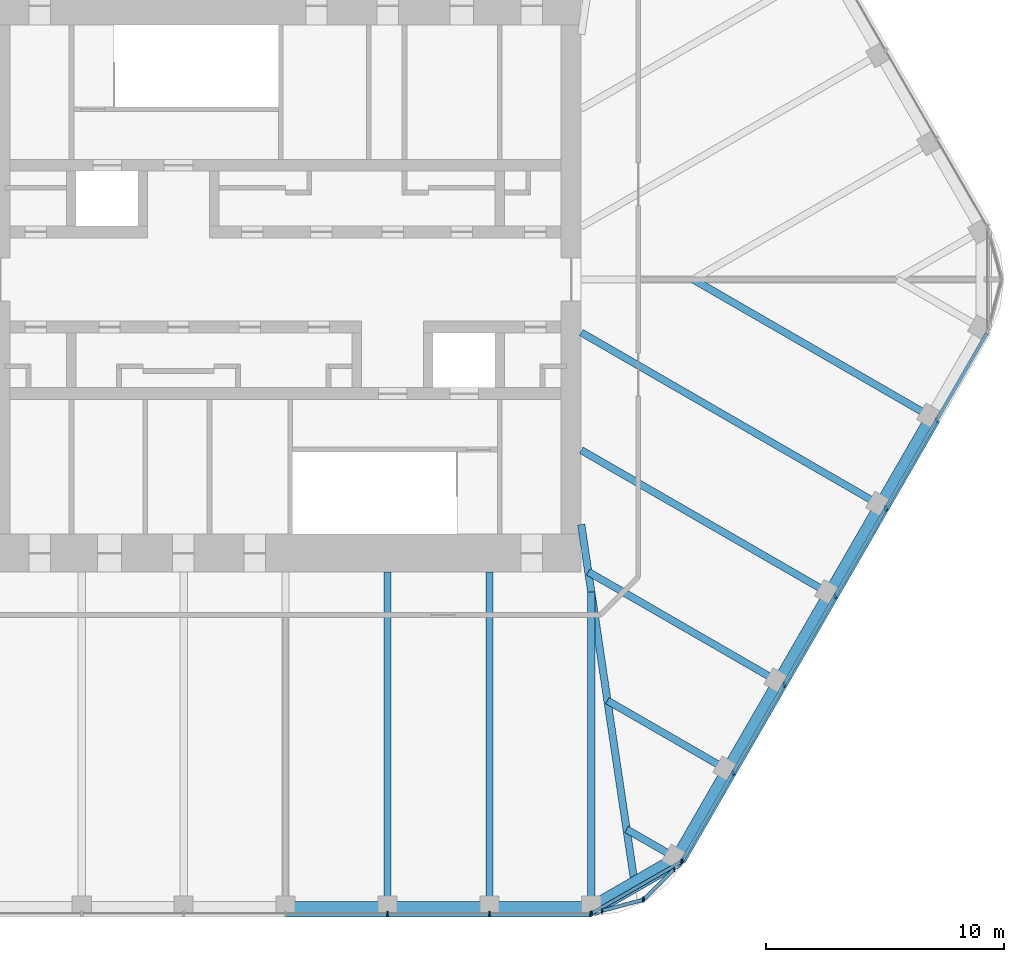
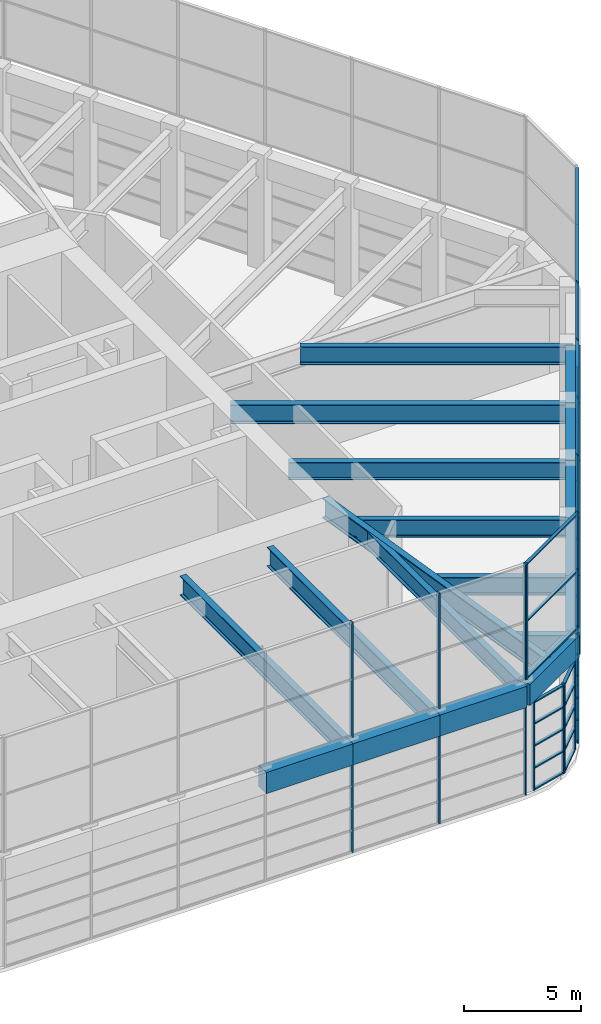
# One storey, part 5 of 17: 44 members, 19 beams, 7 elements without a shape of their own.
"""IFC4 building model written with IfcOpenShell, lengths in metres."""

from ifc_helpers import new_model, si_unit, direction, frame, origin, origin_2d, place, context, subcontext, project, spatial, rectangle, i_section, extrude, material, material_profile, profile_set, type_object, element, aggregate, save


model = new_model("IFC4")

# Units and contexts
model_context = context("Model", 3, precision=1e-05, world=origin(), true_north=direction((0.0, 1.0)))
body_context = subcontext(model_context, "Body", "Model", "MODEL_VIEW")
ifc_project = project(units=[si_unit("LENGTHUNIT", "METRE"), si_unit("AREAUNIT", "SQUARE_METRE"), si_unit("VOLUMEUNIT", "CUBIC_METRE"), si_unit("PLANEANGLEUNIT", "RADIAN"), si_unit("MASSUNIT", "GRAM", prefix="KILO")], contexts=[model_context])

# Site, building, storey
site_placement = place(None, origin())
site = spatial("IfcSite", under=ifc_project, at=site_placement, CompositionType="ELEMENT")
building_placement = place(site_placement, origin())
building = spatial("IfcBuilding", under=site, at=building_placement, Name="Tarfa Lantern Tower", CompositionType="ELEMENT")
storey_placement = place(building_placement, frame((0.0, 0.0, 402.300048828125)))
storey = spatial("IfcBuildingStorey", under=building, at=storey_placement, Name="L91", CompositionType="ELEMENT", Elevation=402.300048828125)

# Curtain wall, members
ifc_material_1 = material(Name="Aluminium framed curtain wall", Category="aluminium")
curtain_wall_type_1 = type_object("IfcCurtainWallType", Name="CW8 LANTERN GLAZING 4600", PredefinedType="USERDEFINED", material=ifc_material_1)
curtain_wall_1_placement = place(storey_placement, origin())
curtain_wall_1 = element("IfcCurtainWall", 1, at=curtain_wall_1_placement, inside=storey, type_object=curtain_wall_type_1, Name="CW8 SSE1 L91", ObjectType="CURTAIN WALL", PredefinedType="USERDEFINED")
ifc_material_2 = material(Name="Aluminium mullion", Category="aluminium")
ifc_material_profile_1 = material_profile(ifc_material_2, rectangle(XDim=0.06494140625, YDim=0.199951171875, at=origin_2d()), Name="AL MULLION 65x200")
ifc_profile_set_1 = profile_set([ifc_material_profile_1], Name="Aluminium mullion")
member_type_1 = type_object("IfcMemberType", Name="CWM1 MULLION 65x200", PredefinedType="MULLION", material=ifc_profile_set_1)
member_1_placement = place(storey_placement, frame((13.30322265625, -26.527587890625, 0.0), z_axis=(0.0, 0.0, 1.0), x_axis=(1.0, 0.0, 0.0)))
member_1 = element("IfcMember", 2, at=member_1_placement, type_object=member_type_1, Name="CW8 mullion 1", PredefinedType="MULLION", context=body_context, shape_type="SweptSolid", body=[
    extrude(rectangle(XDim=0.06494140625, YDim=0.199951171875, at=origin_2d()), origin(), (0.0, 0.0, 1.0), 4.599853515625),
])
member_2_placement = place(storey_placement, frame((15.0146484375, -26.06884765625, 0.0), z_axis=(0.0, 0.0, 1.0), x_axis=(1.0, 0.0, 0.0)))
member_2 = element("IfcMember", 3, at=member_2_placement, type_object=member_type_1, Name="CW8 mullion 2", PredefinedType="MULLION", context=body_context, shape_type="SweptSolid", body=[
    extrude(rectangle(XDim=0.06494140625, YDim=0.199951171875, at=origin_2d()), origin(), (0.0, 0.0, 1.0), 4.599853515625),
])

curtain_wall_2_placement = place(storey_placement, origin())
curtain_wall_2 = element("IfcCurtainWall", 4, at=curtain_wall_2_placement, inside=storey, type_object=curtain_wall_type_1, Name="CW8 SSE2 L91", ObjectType="CURTAIN WALL", PredefinedType="USERDEFINED")
member_3_placement = place(storey_placement, frame((15.069091796875, -26.03759765625, 0.0), z_axis=(0.0, 0.0, 1.0), x_axis=(1.0, 0.0, 0.0)))
member_3 = element("IfcMember", 5, at=member_3_placement, type_object=member_type_1, Name="CW8 mullion 1", PredefinedType="MULLION", context=body_context, shape_type="SweptSolid", body=[
    extrude(rectangle(XDim=0.06494140625, YDim=0.199951171875, at=origin_2d()), origin(), (0.0, 0.0, 1.0), 4.599853515625),
])
member_4_placement = place(storey_placement, frame((16.32177734375, -24.78466796875, 0.0), z_axis=(0.0, 0.0, 1.0), x_axis=(1.0, 0.0, 0.0)))
member_4 = element("IfcMember", 6, at=member_4_placement, type_object=member_type_1, Name="CW8 mullion 2", PredefinedType="MULLION", context=body_context, shape_type="SweptSolid", body=[
    extrude(rectangle(XDim=0.06494140625, YDim=0.199951171875, at=origin_2d()), origin(), (0.0, 0.0, 1.0), 4.599853515625),
])

curtain_wall_3_placement = place(storey_placement, origin())
curtain_wall_3 = element("IfcCurtainWall", 7, at=curtain_wall_3_placement, inside=storey, type_object=curtain_wall_type_1, Name="CW8 S L91", ObjectType="CURTAIN WALL", PredefinedType="USERDEFINED")
member_5_placement = place(storey_placement, frame((4.281982421875, -26.64990234375, 0.0), z_axis=(0.0, 0.0, 1.0), x_axis=(1.0, 0.0, 0.0)))
member_5 = element("IfcMember", 8, at=member_5_placement, type_object=member_type_1, Name="CW8 mullion 5", PredefinedType="MULLION", context=body_context, shape_type="SweptSolid", body=[
    extrude(rectangle(XDim=0.06494140625, YDim=0.199951171875, at=origin_2d()), origin(), (0.0, 0.0, 1.0), 4.599853515625),
])
member_6_placement = place(storey_placement, frame((8.56396484375, -26.64990234375, 0.0), z_axis=(0.0, 0.0, 1.0), x_axis=(1.0, 0.0, 0.0)))
member_6 = element("IfcMember", 9, at=member_6_placement, type_object=member_type_1, Name="CW8 mullion 6", PredefinedType="MULLION", context=body_context, shape_type="SweptSolid", body=[
    extrude(rectangle(XDim=0.06494140625, YDim=0.199951171875, at=origin_2d()), origin(), (0.0, 0.0, 1.0), 4.599853515625),
])
member_7_placement = place(storey_placement, frame((12.8134765625, -26.64990234375, 0.0), z_axis=(0.0, 0.0, 1.0), x_axis=(1.0, 0.0, 0.0)))
member_7 = element("IfcMember", 10, at=member_7_placement, type_object=member_type_1, Name="CW8 mullion 7", PredefinedType="MULLION", context=body_context, shape_type="SweptSolid", body=[
    extrude(rectangle(XDim=0.06494140625, YDim=0.199951171875, at=origin_2d()), origin(), (0.0, 0.0, 1.0), 4.599853515625),
])
aggregate(curtain_wall_3, [member_5, member_6, member_7])

curtain_wall_4_placement = place(storey_placement, origin())
curtain_wall_4 = element("IfcCurtainWall", 11, at=curtain_wall_4_placement, inside=storey, type_object=curtain_wall_type_1, Name="CW8 SE L91", ObjectType="CURTAIN WALL", PredefinedType="USERDEFINED")
member_8_placement = place(storey_placement, frame((16.6728515625, -24.421875, 0.0), z_axis=(0.0, 0.0, 1.0), x_axis=(1.0, 0.0, 0.0)))
member_8 = element("IfcMember", 12, at=member_8_placement, type_object=member_type_1, Name="CW8 mullion 1", PredefinedType="MULLION", context=body_context, shape_type="SweptSolid", body=[
    extrude(rectangle(XDim=0.06494140625, YDim=0.199951171875, at=origin_2d()), origin(), (0.0, 0.0, 1.0), 4.599853515625),
])
member_9_placement = place(storey_placement, frame((18.797607421875, -20.74169921875, 0.0), z_axis=(0.0, 0.0, 1.0), x_axis=(1.0, 0.0, 0.0)))
member_9 = element("IfcMember", 13, at=member_9_placement, type_object=member_type_1, Name="CW8 mullion 2", PredefinedType="MULLION", context=body_context, shape_type="SweptSolid", body=[
    extrude(rectangle(XDim=0.06494140625, YDim=0.199951171875, at=origin_2d()), origin(), (0.0, 0.0, 1.0), 4.599853515625),
])
member_10_placement = place(storey_placement, frame((20.9384765625, -17.033447265625, 0.0), z_axis=(0.0, 0.0, 1.0), x_axis=(1.0, 0.0, 0.0)))
member_10 = element("IfcMember", 14, at=member_10_placement, type_object=member_type_1, Name="CW8 mullion 3", PredefinedType="MULLION", context=body_context, shape_type="SweptSolid", body=[
    extrude(rectangle(XDim=0.06494140625, YDim=0.199951171875, at=origin_2d()), origin(), (0.0, 0.0, 1.0), 4.599853515625),
])
member_11_placement = place(storey_placement, frame((23.07958984375, -13.324951171875, 0.0), z_axis=(0.0, 0.0, 1.0), x_axis=(1.0, 0.0, 0.0)))
member_11 = element("IfcMember", 15, at=member_11_placement, type_object=member_type_1, Name="CW8 mullion 4", PredefinedType="MULLION", context=body_context, shape_type="SweptSolid", body=[
    extrude(rectangle(XDim=0.06494140625, YDim=0.199951171875, at=origin_2d()), origin(), (0.0, 0.0, 1.0), 4.599853515625),
])
member_12_placement = place(storey_placement, frame((25.220703125, -9.61669921875, 0.0), z_axis=(0.0, 0.0, 1.0), x_axis=(1.0, 0.0, 0.0)))
member_12 = element("IfcMember", 16, at=member_12_placement, type_object=member_type_1, Name="CW8 mullion 5", PredefinedType="MULLION", context=body_context, shape_type="SweptSolid", body=[
    extrude(rectangle(XDim=0.06494140625, YDim=0.199951171875, at=origin_2d()), origin(), (0.0, 0.0, 1.0), 4.599853515625),
])
member_13_placement = place(storey_placement, frame((27.361572265625, -5.908447265625, 0.0), z_axis=(0.0, 0.0, 1.0), x_axis=(1.0, 0.0, 0.0)))
member_13 = element("IfcMember", 17, at=member_13_placement, type_object=member_type_1, Name="CW8 mullion 6", PredefinedType="MULLION", context=body_context, shape_type="SweptSolid", body=[
    extrude(rectangle(XDim=0.06494140625, YDim=0.199951171875, at=origin_2d()), origin(), (0.0, 0.0, 1.0), 4.599853515625),
])

curtain_wall_type_2 = type_object("IfcCurtainWallType", Name="CW9 CROWN SCREEN GLAZING 6000", PredefinedType="USERDEFINED", material=ifc_material_1)
curtain_wall_5_placement = place(storey_placement, origin())
curtain_wall_5 = element("IfcCurtainWall", 18, at=curtain_wall_5_placement, inside=storey, type_object=curtain_wall_type_2, Name="CW9 S L91", ObjectType="CURTAIN WALL", PredefinedType="USERDEFINED")
member_14_placement = place(storey_placement, frame((4.281982421875, -26.64990234375, 6.0), z_axis=(0.0, 0.0, 1.0), x_axis=(1.0, 0.0, 0.0)))
member_14 = element("IfcMember", 19, at=member_14_placement, type_object=member_type_1, Name="CW9 mullion 5", PredefinedType="MULLION", context=body_context, shape_type="SweptSolid", body=[
    extrude(rectangle(XDim=0.06494140625, YDim=0.199951171875, at=origin_2d()), origin(), (0.0, 0.0, 1.0), 6.0),
])
member_15_placement = place(storey_placement, frame((8.56396484375, -26.64990234375, 6.0), z_axis=(0.0, 0.0, 1.0), x_axis=(1.0, 0.0, 0.0)))
member_15 = element("IfcMember", 20, at=member_15_placement, type_object=member_type_1, Name="CW9 mullion 6", PredefinedType="MULLION", context=body_context, shape_type="SweptSolid", body=[
    extrude(rectangle(XDim=0.06494140625, YDim=0.199951171875, at=origin_2d()), origin(), (0.0, 0.0, 1.0), 6.0),
])
member_16_placement = place(storey_placement, frame((12.8134765625, -26.64990234375, 6.0), z_axis=(0.0, 0.0, 1.0), x_axis=(1.0, 0.0, 0.0)))
member_16 = element("IfcMember", 21, at=member_16_placement, type_object=member_type_1, Name="CW9 mullion 7", PredefinedType="MULLION", context=body_context, shape_type="SweptSolid", body=[
    extrude(rectangle(XDim=0.06494140625, YDim=0.199951171875, at=origin_2d()), origin(), (0.0, 0.0, 1.0), 6.0),
])
aggregate(curtain_wall_5, [member_14, member_15, member_16])

curtain_wall_6_placement = place(storey_placement, origin())
curtain_wall_6 = element("IfcCurtainWall", 22, at=curtain_wall_6_placement, inside=storey, type_object=curtain_wall_type_2, Name="CW9 SE L91", ObjectType="CURTAIN WALL", PredefinedType="USERDEFINED")
member_17_placement = place(storey_placement, frame((16.6728515625, -24.421875, 6.0), z_axis=(0.0, 0.0, 1.0), x_axis=(1.0, 0.0, 0.0)))
member_17 = element("IfcMember", 23, at=member_17_placement, type_object=member_type_1, Name="CW9 mullion 1", PredefinedType="MULLION", context=body_context, shape_type="SweptSolid", body=[
    extrude(rectangle(XDim=0.06494140625, YDim=0.199951171875, at=origin_2d()), origin(), (0.0, 0.0, 1.0), 6.0),
])
member_18_placement = place(storey_placement, frame((18.797607421875, -20.74169921875, 6.0), z_axis=(0.0, 0.0, 1.0), x_axis=(1.0, 0.0, 0.0)))
member_18 = element("IfcMember", 24, at=member_18_placement, type_object=member_type_1, Name="CW9 mullion 2", PredefinedType="MULLION", context=body_context, shape_type="SweptSolid", body=[
    extrude(rectangle(XDim=0.06494140625, YDim=0.199951171875, at=origin_2d()), origin(), (0.0, 0.0, 1.0), 6.0),
])
member_19_placement = place(storey_placement, frame((20.9384765625, -17.033447265625, 6.0), z_axis=(0.0, 0.0, 1.0), x_axis=(1.0, 0.0, 0.0)))
member_19 = element("IfcMember", 25, at=member_19_placement, type_object=member_type_1, Name="CW9 mullion 3", PredefinedType="MULLION", context=body_context, shape_type="SweptSolid", body=[
    extrude(rectangle(XDim=0.06494140625, YDim=0.199951171875, at=origin_2d()), origin(), (0.0, 0.0, 1.0), 6.0),
])
member_20_placement = place(storey_placement, frame((23.07958984375, -13.324951171875, 6.0), z_axis=(0.0, 0.0, 1.0), x_axis=(1.0, 0.0, 0.0)))
member_20 = element("IfcMember", 26, at=member_20_placement, type_object=member_type_1, Name="CW9 mullion 4", PredefinedType="MULLION", context=body_context, shape_type="SweptSolid", body=[
    extrude(rectangle(XDim=0.06494140625, YDim=0.199951171875, at=origin_2d()), origin(), (0.0, 0.0, 1.0), 6.0),
])
member_21_placement = place(storey_placement, frame((25.220703125, -9.61669921875, 6.0), z_axis=(0.0, 0.0, 1.0), x_axis=(1.0, 0.0, 0.0)))
member_21 = element("IfcMember", 27, at=member_21_placement, type_object=member_type_1, Name="CW9 mullion 5", PredefinedType="MULLION", context=body_context, shape_type="SweptSolid", body=[
    extrude(rectangle(XDim=0.06494140625, YDim=0.199951171875, at=origin_2d()), origin(), (0.0, 0.0, 1.0), 6.0),
])

curtain_wall_7_placement = place(storey_placement, origin())
curtain_wall_7 = element("IfcCurtainWall", 28, at=curtain_wall_7_placement, inside=storey, type_object=curtain_wall_type_2, Name="CW9 SSE L91", ObjectType="CURTAIN WALL", PredefinedType="USERDEFINED")
member_22_placement = place(storey_placement, frame((12.874267578125, -26.6337890625, 6.0), z_axis=(0.0, 0.0, 1.0), x_axis=(1.0, 0.0, 0.0)))
member_22 = element("IfcMember", 29, at=member_22_placement, type_object=member_type_1, Name="CW9 mullion 1", PredefinedType="MULLION", context=body_context, shape_type="SweptSolid", body=[
    extrude(rectangle(XDim=0.06494140625, YDim=0.199951171875, at=origin_2d()), origin(), (0.0, 0.0, 1.0), 6.0),
])
member_23_placement = place(storey_placement, frame((16.62841796875, -24.46630859375, 6.0), z_axis=(0.0, 0.0, 1.0), x_axis=(1.0, 0.0, 0.0)))
member_23 = element("IfcMember", 30, at=member_23_placement, type_object=member_type_1, Name="CW9 mullion 2", PredefinedType="MULLION", context=body_context, shape_type="SweptSolid", body=[
    extrude(rectangle(XDim=0.06494140625, YDim=0.199951171875, at=origin_2d()), origin(), (0.0, 0.0, 1.0), 6.0),
])

# Member
ifc_material_3 = material(Name="Aluminium transom", Category="aluminium")
ifc_material_profile_2 = material_profile(ifc_material_3, rectangle(XDim=0.14990234375, YDim=0.06494140625, at=origin_2d()), Name="AL TRANSOM 150x65")
ifc_profile_set_2 = profile_set([ifc_material_profile_2], Name="Aluminium transom")
member_type_2 = type_object("IfcMemberType", Name="CWT1 TRANSOM 150x65", PredefinedType="USERDEFINED", material=ifc_profile_set_2)
member_24_placement = place(storey_placement, frame((13.334716796875, -26.51904296875, 0.032470703125), z_axis=(0.965932726646, 0.258793291247, 0.0), x_axis=(-0.258793291247, 0.965932726646, 0.0)))
member_24 = element("IfcMember", 31, at=member_24_placement, type_object=member_type_2, Name="CW8 transom 1.1", ObjectType="TRANSOM", PredefinedType="USERDEFINED", context=body_context, shape_type="SweptSolid", body=[
    extrude(rectangle(XDim=0.14990234375, YDim=0.06494140625, at=origin_2d()), origin(), (0.0, 0.0, 1.0), 1.70654296875),
])

member_25_placement = place(storey_placement, frame((13.334716796875, -26.51904296875, 1.14990234375), z_axis=(0.965932726646, 0.258793291247, 0.0), x_axis=(-0.258793291247, 0.965932726646, 0.0)))
member_25 = element("IfcMember", 32, at=member_25_placement, type_object=member_type_2, Name="CW8 transom 1.2", ObjectType="TRANSOM", PredefinedType="USERDEFINED", context=body_context, shape_type="SweptSolid", body=[
    extrude(rectangle(XDim=0.14990234375, YDim=0.06494140625, at=origin_2d()), origin(), (0.0, 0.0, 1.0), 1.70654296875),
])

member_26_placement = place(storey_placement, frame((13.334716796875, -26.51904296875, 2.300048828125), z_axis=(0.965932726646, 0.258793291247, 0.0), x_axis=(-0.258793291247, 0.965932726646, 0.0)))
member_26 = element("IfcMember", 33, at=member_26_placement, type_object=member_type_2, Name="CW8 transom 1.3", ObjectType="TRANSOM", PredefinedType="USERDEFINED", context=body_context, shape_type="SweptSolid", body=[
    extrude(rectangle(XDim=0.14990234375, YDim=0.06494140625, at=origin_2d()), origin(), (0.0, 0.0, 1.0), 1.70654296875),
])

member_27_placement = place(storey_placement, frame((13.334716796875, -26.51904296875, 3.449951171875), z_axis=(0.965932726646, 0.258793291247, 0.0), x_axis=(-0.258793291247, 0.965932726646, 0.0)))
member_27 = element("IfcMember", 34, at=member_27_placement, type_object=member_type_2, Name="CW8 transom 1.4", ObjectType="TRANSOM", PredefinedType="USERDEFINED", context=body_context, shape_type="SweptSolid", body=[
    extrude(rectangle(XDim=0.14990234375, YDim=0.06494140625, at=origin_2d()), origin(), (0.0, 0.0, 1.0), 1.70654296875),
])

member_28_placement = place(storey_placement, frame((13.334716796875, -26.51904296875, 4.5673828125), z_axis=(0.965932726646, 0.258793291247, 0.0), x_axis=(-0.258793291247, 0.965932726646, 0.0)))
member_28 = element("IfcMember", 35, at=member_28_placement, type_object=member_type_2, Name="CW8 transom 1.5", ObjectType="TRANSOM", PredefinedType="USERDEFINED", context=body_context, shape_type="SweptSolid", body=[
    extrude(rectangle(XDim=0.14990234375, YDim=0.06494140625, at=origin_2d()), origin(), (0.0, 0.0, 1.0), 1.70654296875),
])

aggregate(curtain_wall_1, [member_1, member_2, member_24, member_25, member_26, member_27, member_28])

member_29_placement = place(storey_placement, frame((15.092041015625, -26.0146484375, 0.032470703125), z_axis=(0.707035258729, 0.70717829641, 0.0), x_axis=(-0.70717829641, 0.707035258729, 0.0)))
member_29 = element("IfcMember", 36, at=member_29_placement, type_object=member_type_2, Name="CW8 transom 1.1", ObjectType="TRANSOM", PredefinedType="USERDEFINED", context=body_context, shape_type="SweptSolid", body=[
    extrude(rectangle(XDim=0.14990234375, YDim=0.06494140625, at=origin_2d()), origin(), (0.0, 0.0, 1.0), 1.706787109375),
])

member_30_placement = place(storey_placement, frame((15.092041015625, -26.0146484375, 1.14990234375), z_axis=(0.707035258729, 0.70717829641, 0.0), x_axis=(-0.70717829641, 0.707035258729, 0.0)))
member_30 = element("IfcMember", 37, at=member_30_placement, type_object=member_type_2, Name="CW8 transom 1.2", ObjectType="TRANSOM", PredefinedType="USERDEFINED", context=body_context, shape_type="SweptSolid", body=[
    extrude(rectangle(XDim=0.14990234375, YDim=0.06494140625, at=origin_2d()), origin(), (0.0, 0.0, 1.0), 1.706787109375),
])

member_31_placement = place(storey_placement, frame((15.092041015625, -26.0146484375, 2.300048828125), z_axis=(0.707035258729, 0.70717829641, 0.0), x_axis=(-0.70717829641, 0.707035258729, 0.0)))
member_31 = element("IfcMember", 38, at=member_31_placement, type_object=member_type_2, Name="CW8 transom 1.3", ObjectType="TRANSOM", PredefinedType="USERDEFINED", context=body_context, shape_type="SweptSolid", body=[
    extrude(rectangle(XDim=0.14990234375, YDim=0.06494140625, at=origin_2d()), origin(), (0.0, 0.0, 1.0), 1.706787109375),
])

member_32_placement = place(storey_placement, frame((15.092041015625, -26.0146484375, 3.449951171875), z_axis=(0.707035258729, 0.70717829641, 0.0), x_axis=(-0.70717829641, 0.707035258729, 0.0)))
member_32 = element("IfcMember", 39, at=member_32_placement, type_object=member_type_2, Name="CW8 transom 1.4", ObjectType="TRANSOM", PredefinedType="USERDEFINED", context=body_context, shape_type="SweptSolid", body=[
    extrude(rectangle(XDim=0.14990234375, YDim=0.06494140625, at=origin_2d()), origin(), (0.0, 0.0, 1.0), 1.706787109375),
])

member_33_placement = place(storey_placement, frame((15.092041015625, -26.0146484375, 4.5673828125), z_axis=(0.707035258729, 0.70717829641, 0.0), x_axis=(-0.70717829641, 0.707035258729, 0.0)))
member_33 = element("IfcMember", 40, at=member_33_placement, type_object=member_type_2, Name="CW8 transom 1.5", ObjectType="TRANSOM", PredefinedType="USERDEFINED", context=body_context, shape_type="SweptSolid", body=[
    extrude(rectangle(XDim=0.14990234375, YDim=0.06494140625, at=origin_2d()), origin(), (0.0, 0.0, 1.0), 1.706787109375),
])

aggregate(curtain_wall_2, [member_3, member_4, member_29, member_30, member_31, member_32, member_33])

member_34_placement = place(storey_placement, frame((16.68896484375, -24.393798828125, 0.032470703125), z_axis=(0.500005475065, 0.866022242731, 0.0), x_axis=(-0.866022242731, 0.500005475065, 0.0)))
member_34 = element("IfcMember", 41, at=member_34_placement, type_object=member_type_2, Name="CW8 transom 1.1", ObjectType="TRANSOM", PredefinedType="USERDEFINED", context=body_context, shape_type="SweptSolid", body=[
    extrude(rectangle(XDim=0.14990234375, YDim=0.06494140625, at=origin_2d()), origin(), (0.0, 0.0, 1.0), 25.562255859375),
])

member_35_placement = place(storey_placement, frame((16.68896484375, -24.393798828125, 1.14990234375), z_axis=(0.500005475065, 0.866022242731, 0.0), x_axis=(-0.866022242731, 0.500005475065, 0.0)))
member_35 = element("IfcMember", 42, at=member_35_placement, type_object=member_type_2, Name="CW8 transom 1.2", ObjectType="TRANSOM", PredefinedType="USERDEFINED", context=body_context, shape_type="SweptSolid", body=[
    extrude(rectangle(XDim=0.14990234375, YDim=0.06494140625, at=origin_2d()), origin(), (0.0, 0.0, 1.0), 25.562255859375),
])

member_36_placement = place(storey_placement, frame((16.68896484375, -24.393798828125, 2.300048828125), z_axis=(0.500005475065, 0.866022242731, 0.0), x_axis=(-0.866022242731, 0.500005475065, 0.0)))
member_36 = element("IfcMember", 43, at=member_36_placement, type_object=member_type_2, Name="CW8 transom 1.3", ObjectType="TRANSOM", PredefinedType="USERDEFINED", context=body_context, shape_type="SweptSolid", body=[
    extrude(rectangle(XDim=0.14990234375, YDim=0.06494140625, at=origin_2d()), origin(), (0.0, 0.0, 1.0), 25.562255859375),
])

member_37_placement = place(storey_placement, frame((16.68896484375, -24.393798828125, 3.449951171875), z_axis=(0.500005475065, 0.866022242731, 0.0), x_axis=(-0.866022242731, 0.500005475065, 0.0)))
member_37 = element("IfcMember", 44, at=member_37_placement, type_object=member_type_2, Name="CW8 transom 1.4", ObjectType="TRANSOM", PredefinedType="USERDEFINED", context=body_context, shape_type="SweptSolid", body=[
    extrude(rectangle(XDim=0.14990234375, YDim=0.06494140625, at=origin_2d()), origin(), (0.0, 0.0, 1.0), 25.562255859375),
])

member_38_placement = place(storey_placement, frame((16.68896484375, -24.393798828125, 4.5673828125), z_axis=(0.500005475065, 0.866022242731, 0.0), x_axis=(-0.866022242731, 0.500005475065, 0.0)))
member_38 = element("IfcMember", 45, at=member_38_placement, type_object=member_type_2, Name="CW8 transom 1.5", ObjectType="TRANSOM", PredefinedType="USERDEFINED", context=body_context, shape_type="SweptSolid", body=[
    extrude(rectangle(XDim=0.14990234375, YDim=0.06494140625, at=origin_2d()), origin(), (0.0, 0.0, 1.0), 25.562255859375),
])

aggregate(curtain_wall_4, [member_8, member_9, member_10, member_11, member_12, member_13, member_34, member_35, member_36, member_37, member_38])

member_39_placement = place(storey_placement, frame((16.68896484375, -24.393798828125, 6.032470703125), z_axis=(0.500005475065, 0.866022242731, 0.0), x_axis=(-0.866022242731, 0.500005475065, 0.0)))
member_39 = element("IfcMember", 46, at=member_39_placement, type_object=member_type_2, Name="CW9 transom 1.1", ObjectType="TRANSOM", PredefinedType="USERDEFINED", context=body_context, shape_type="SweptSolid", body=[
    extrude(rectangle(XDim=0.14990234375, YDim=0.06494140625, at=origin_2d()), origin(), (0.0, 0.0, 1.0), 25.562255859375),
])

member_40_placement = place(storey_placement, frame((16.68896484375, -24.393798828125, 9.0), z_axis=(0.500005475065, 0.866022242731, 0.0), x_axis=(-0.866022242731, 0.500005475065, 0.0)))
member_40 = element("IfcMember", 47, at=member_40_placement, type_object=member_type_2, Name="CW9 transom 1.2", ObjectType="TRANSOM", PredefinedType="USERDEFINED", context=body_context, shape_type="SweptSolid", body=[
    extrude(rectangle(XDim=0.14990234375, YDim=0.06494140625, at=origin_2d()), origin(), (0.0, 0.0, 1.0), 25.562255859375),
])

member_41_placement = place(storey_placement, frame((16.68896484375, -24.393798828125, 11.967529296875), z_axis=(0.500005475065, 0.866022242731, 0.0), x_axis=(-0.866022242731, 0.500005475065, 0.0)))
member_41 = element("IfcMember", 48, at=member_41_placement, type_object=member_type_2, Name="CW9 transom 1.3", ObjectType="TRANSOM", PredefinedType="USERDEFINED", context=body_context, shape_type="SweptSolid", body=[
    extrude(rectangle(XDim=0.14990234375, YDim=0.06494140625, at=origin_2d()), origin(), (0.0, 0.0, 1.0), 25.562255859375),
])

aggregate(curtain_wall_6, [member_17, member_18, member_19, member_20, member_21, member_39, member_40, member_41])

member_42_placement = place(storey_placement, frame((12.90234375, -26.617431640625, 6.032470703125), z_axis=(0.866028486751, 0.499994660107, 0.0), x_axis=(-0.499994660107, 0.866028486751, 0.0)))
member_42 = element("IfcMember", 49, at=member_42_placement, type_object=member_type_2, Name="CW9 transom 1.1", ObjectType="TRANSOM", PredefinedType="USERDEFINED", context=body_context, shape_type="SweptSolid", body=[
    extrude(rectangle(XDim=0.14990234375, YDim=0.06494140625, at=origin_2d()), origin(), (0.0, 0.0, 1.0), 4.27001953125),
])

member_43_placement = place(storey_placement, frame((12.90234375, -26.617431640625, 9.0), z_axis=(0.866028486751, 0.499994660107, 0.0), x_axis=(-0.499994660107, 0.866028486751, 0.0)))
member_43 = element("IfcMember", 50, at=member_43_placement, type_object=member_type_2, Name="CW9 transom 1.2", ObjectType="TRANSOM", PredefinedType="USERDEFINED", context=body_context, shape_type="SweptSolid", body=[
    extrude(rectangle(XDim=0.14990234375, YDim=0.06494140625, at=origin_2d()), origin(), (0.0, 0.0, 1.0), 4.27001953125),
])

member_44_placement = place(storey_placement, frame((12.90234375, -26.617431640625, 11.967529296875), z_axis=(0.866028486751, 0.499994660107, 0.0), x_axis=(-0.499994660107, 0.866028486751, 0.0)))
member_44 = element("IfcMember", 51, at=member_44_placement, type_object=member_type_2, Name="CW9 transom 1.3", ObjectType="TRANSOM", PredefinedType="USERDEFINED", context=body_context, shape_type="SweptSolid", body=[
    extrude(rectangle(XDim=0.14990234375, YDim=0.06494140625, at=origin_2d()), origin(), (0.0, 0.0, 1.0), 4.27001953125),
])

aggregate(curtain_wall_7, [member_22, member_23, member_42, member_43, member_44])

# Beams
ifc_material_4 = material(Name="Concrete C80/95", Category="concrete")
ifc_material_profile_3 = material_profile(ifc_material_4, rectangle(XDim=0.64990234375, YDim=1.10009765625, at=origin_2d()), Name="RC 650x1100")
ifc_profile_set_3 = profile_set([ifc_material_profile_3], Name="Concrete C80/95")
beam_type_1 = type_object("IfcBeamType", Name="EB4 RC 650x1100", PredefinedType="SPANDREL", material=ifc_profile_set_3)
for number, where, z_axis, x_axis, name in (
    (52, (0.0, -26.469970703125, 5.14990234375), (1.0, 0.0, 0.0), (0.0, 1.0, 0.0), "Edge beam S3"),
    (53, (4.281982421875, -26.469970703125, 5.14990234375), (1.0, 0.0, 0.0), (0.0, 1.0, 0.0), "Edge beam S4"),
    (54, (8.56396484375, -26.469970703125, 5.14990234375), (1.0, 0.0, 0.0), (0.0, 1.0, 0.0), "Edge beam S5"),
):
    element("IfcBeam", number, at=place(storey_placement, frame(where, z_axis=z_axis, x_axis=x_axis)), inside=storey, type_object=beam_type_1, Name=name, PredefinedType="SPANDREL", context=body_context, shape_type="SweptSolid", body=[
        extrude(rectangle(XDim=0.64990234375, YDim=1.10009765625, at=origin_2d()), origin(), (0.0, 0.0, 1.0), 4.281982421875),
    ])
beam_1_placement = place(storey_placement, frame((12.845947265625, -26.469970703125, 5.14990234375), z_axis=(0.866048788483, 0.499959494327, 0.0), x_axis=(-0.499959494327, 0.866048788483, 0.0)))
element("IfcBeam", 55, at=beam_1_placement, inside=storey, type_object=beam_type_1, Name="Edge beam S6", PredefinedType="SPANDREL", context=body_context, shape_type="SweptSolid", body=[
    extrude(rectangle(XDim=0.64990234375, YDim=1.10009765625, at=origin_2d()), origin(), (0.0, 0.0, 1.0), 4.219970703125),
])
for number, where, z_axis, x_axis, name in (
    (56, (16.500732421875, -24.360107421875, 5.14990234375), (0.499959351497, 0.866048870937, 0.0), (-0.866048870937, 0.499959351497, 0.0), "Edge beam SE0"),
    (57, (18.6416015625, -20.651611328125, 5.14990234375), (0.500026801138, 0.866009929587, 0.0), (-0.866009929587, 0.500026801138, 0.0), "Edge beam SE1"),
    (58, (20.78271484375, -16.943359375, 5.14990234375), (0.499984039138, 0.866034618596, 0.0), (-0.866034618596, 0.499984039138, 0.0), "Edge beam SE2"),
):
    element("IfcBeam", number, at=place(storey_placement, frame(where, z_axis=z_axis, x_axis=x_axis)), inside=storey, type_object=beam_type_1, Name=name, PredefinedType="SPANDREL", context=body_context, shape_type="SweptSolid", body=[
        extrude(rectangle(XDim=0.64990234375, YDim=1.10009765625, at=origin_2d()), origin(), (0.0, 0.0, 1.0), 4.281982421875),
    ])
beam_2_placement = place(storey_placement, frame((22.923583984375, -13.235107421875, 5.14990234375), z_axis=(0.500002112793, 0.866024183959, 0.0), x_axis=(-0.866024183959, 0.500002112793, 0.0)))
element("IfcBeam", 59, at=beam_2_placement, inside=storey, type_object=beam_type_1, Name="Edge beam SE3", PredefinedType="SPANDREL", context=body_context, shape_type="SweptSolid", body=[
    extrude(rectangle(XDim=0.64990234375, YDim=1.10009765625, at=origin_2d()), origin(), (0.0, 0.0, 1.0), 4.2822265625),
])
beam_3_placement = place(storey_placement, frame((25.064697265625, -9.526611328125, 5.14990234375), z_axis=(0.500026801138, 0.866009929587, 0.0), x_axis=(-0.866009929587, 0.500026801138, 0.0)))
element("IfcBeam", 60, at=beam_3_placement, inside=storey, type_object=beam_type_1, Name="Edge beam SE4", PredefinedType="SPANDREL", context=body_context, shape_type="SweptSolid", body=[
    extrude(rectangle(XDim=0.64990234375, YDim=1.10009765625, at=origin_2d()), origin(), (0.0, 0.0, 1.0), 4.281982421875),
])
ifc_material_5 = material(Name="Steel S460M", Category="steel")
ifc_material_profile_4 = material_profile(ifc_material_5, i_section(OverallWidth=0.302001953125, OverallDepth=1.008056640625, WebThickness=0.02099609375, FlangeThickness=0.0400390625, FilletRadius=0.030029296875, at=origin_2d()), Name="UB1016x305x349")
ifc_profile_set_4 = profile_set([ifc_material_profile_4], Name="Steel S460M")
beam_type_2 = type_object("IfcBeamType", Name="UB1016x305x349", PredefinedType="BEAM", material=ifc_profile_set_4)
for number, where, z_axis, x_axis, name in (
    (61, (4.281982421875, -26.469970703125, 5.19580078125), (0.0, 1.0, 0.0), (-1.0, 0.0, 0.0), "Floor beam S4"),
    (62, (8.56396484375, -26.469970703125, 5.19580078125), (0.0, 1.0, 0.0), (-1.0, 0.0, 0.0), "Floor beam S5"),
):
    element("IfcBeam", number, at=place(storey_placement, frame(where, z_axis=z_axis, x_axis=x_axis)), inside=storey, type_object=beam_type_2, Name=name, PredefinedType="BEAM", context=body_context, shape_type="SweptSolid", body=[
        extrude(i_section(OverallWidth=0.302001953125, OverallDepth=1.008056640625, WebThickness=0.02099609375, FlangeThickness=0.0400390625, FilletRadius=0.030029296875, at=origin_2d()), origin(), (0.0, 0.0, 1.0), 14.169921875),
    ])
beam_4_placement = place(storey_placement, frame((25.064697265625, -9.526611328125, 5.19580078125), z_axis=(-0.866029591389, 0.499992746786, 0.0), x_axis=(-0.499992746786, -0.866029591389, 0.0)))
element("IfcBeam", 63, at=beam_4_placement, inside=storey, type_object=beam_type_2, Name="Floor beam SE4", PredefinedType="BEAM", context=body_context, shape_type="SweptSolid", body=[
    extrude(i_section(OverallWidth=0.302001953125, OverallDepth=1.008056640625, WebThickness=0.02099609375, FlangeThickness=0.0400390625, FilletRadius=0.030029296875, at=origin_2d()), origin(), (0.0, 0.0, 1.0), 14.594970703125),
])
ifc_material_profile_5 = material_profile(ifc_material_5, i_section(OverallWidth=0.30859375, OverallDepth=1.036376953125, WebThickness=0.030029296875, FlangeThickness=0.05419921875, FilletRadius=0.030029296875, at=origin_2d()), Name="UB1016x305x487")
ifc_profile_set_5 = profile_set([ifc_material_profile_5], Name="Steel S460M")
beam_type_3 = type_object("IfcBeamType", Name="UB1016x305x487", PredefinedType="BEAM", material=ifc_profile_set_5)
beam_5_placement = place(storey_placement, frame((12.425048828125, -10.300048828125, 5.181884765625), z_axis=(0.147127069073, -0.989117599452, 0.0), x_axis=(0.989117599452, 0.147127069073, 0.0)))
element("IfcBeam", 64, at=beam_5_placement, inside=storey, type_object=beam_type_3, Name="Hip girder SE", PredefinedType="BEAM", context=body_context, shape_type="SweptSolid", body=[
    extrude(i_section(OverallWidth=0.30859375, OverallDepth=1.036376953125, WebThickness=0.030029296875, FlangeThickness=0.05419921875, FilletRadius=0.030029296875, at=origin_2d()), origin(), (0.0, 0.0, 1.0), 15.28125),
])
ifc_material_profile_6 = material_profile(ifc_material_5, i_section(OverallWidth=0.305419921875, OverallDepth=0.91845703125, WebThickness=0.017333984375, FlangeThickness=0.02783203125, FilletRadius=0.01904296875, at=origin_2d()), Name="UB914x305x253")
ifc_profile_set_6 = profile_set([ifc_material_profile_6], Name="Steel S460M")
beam_type_4 = type_object("IfcBeamType", Name="UB914x305x253", PredefinedType="BEAM", material=ifc_profile_set_6)
beam_6_placement = place(storey_placement, frame((12.845947265625, -26.469970703125, 5.24072265625), z_axis=(0.0, 1.0, 0.0), x_axis=(-1.0, 0.0, 0.0)))
element("IfcBeam", 65, at=beam_6_placement, inside=storey, type_object=beam_type_4, Name="Floor beam S6", PredefinedType="BEAM", context=body_context, shape_type="SweptSolid", body=[
    extrude(i_section(OverallWidth=0.305419921875, OverallDepth=0.91845703125, WebThickness=0.017333984375, FlangeThickness=0.02783203125, FilletRadius=0.01904296875, at=origin_2d()), origin(), (0.0, 0.0, 1.0), 13.33935546875),
])
beam_7_placement = place(storey_placement, frame((16.500732421875, -24.360107421875, 5.24072265625), z_axis=(-0.865992557167, 0.500056887695, 0.0), x_axis=(-0.500056887695, -0.865992557167, 0.0)))
element("IfcBeam", 66, at=beam_7_placement, inside=storey, type_object=beam_type_4, Name="Floor beam SE0", PredefinedType="BEAM", context=body_context, shape_type="SweptSolid", body=[
    extrude(i_section(OverallWidth=0.305419921875, OverallDepth=0.91845703125, WebThickness=0.017333984375, FlangeThickness=0.02783203125, FilletRadius=0.01904296875, at=origin_2d()), origin(), (0.0, 0.0, 1.0), 2.506591796875),
])
beam_8_placement = place(storey_placement, frame((18.6416015625, -20.651611328125, 5.24072265625), z_axis=(-0.866024549157, 0.500001480256, 0.0), x_axis=(-0.500001480256, -0.866024549157, 0.0)))
element("IfcBeam", 67, at=beam_8_placement, inside=storey, type_object=beam_type_4, Name="Floor beam SE1", PredefinedType="BEAM", context=body_context, shape_type="SweptSolid", body=[
    extrude(i_section(OverallWidth=0.305419921875, OverallDepth=0.91845703125, WebThickness=0.017333984375, FlangeThickness=0.02783203125, FilletRadius=0.01904296875, at=origin_2d()), origin(), (0.0, 0.0, 1.0), 5.90771484375),
])
beam_9_placement = place(storey_placement, frame((20.78271484375, -16.943359375, 5.24072265625), z_axis=(-0.866021806508, 0.500006230613, 0.0), x_axis=(-0.500006230613, -0.866021806508, 0.0)))
element("IfcBeam", 68, at=beam_9_placement, inside=storey, type_object=beam_type_4, Name="Floor beam SE2", PredefinedType="BEAM", context=body_context, shape_type="SweptSolid", body=[
    extrude(i_section(OverallWidth=0.305419921875, OverallDepth=0.91845703125, WebThickness=0.017333984375, FlangeThickness=0.02783203125, FilletRadius=0.01904296875, at=origin_2d()), origin(), (0.0, 0.0, 1.0), 9.30908203125),
])
beam_10_placement = place(storey_placement, frame((22.923583984375, -13.235107421875, 5.24072265625), z_axis=(-0.86601856927, 0.500011837539, 0.0), x_axis=(-0.500011837539, -0.86601856927, 0.0)))
element("IfcBeam", 69, at=beam_10_placement, inside=storey, type_object=beam_type_4, Name="Floor beam SE3", PredefinedType="BEAM", context=body_context, shape_type="SweptSolid", body=[
    extrude(i_section(OverallWidth=0.305419921875, OverallDepth=0.91845703125, WebThickness=0.017333984375, FlangeThickness=0.02783203125, FilletRadius=0.01904296875, at=origin_2d()), origin(), (0.0, 0.0, 1.0), 12.122802734375),
])
beam_11_placement = place(storey_placement, frame((27.205810546875, -5.818359375, 5.24072265625), z_axis=(-0.866024171998, 0.500002133511, 0.0), x_axis=(-0.500002133511, -0.866024171998, 0.0)))
element("IfcBeam", 70, at=beam_11_placement, inside=storey, type_object=beam_type_4, Name="Floor beam SE5", PredefinedType="BEAM", context=body_context, shape_type="SweptSolid", body=[
    extrude(i_section(OverallWidth=0.305419921875, OverallDepth=0.91845703125, WebThickness=0.017333984375, FlangeThickness=0.02783203125, FilletRadius=0.01904296875, at=origin_2d()), origin(), (0.0, 0.0, 1.0), 11.63671875),
])

save(model, "model.ifc")
